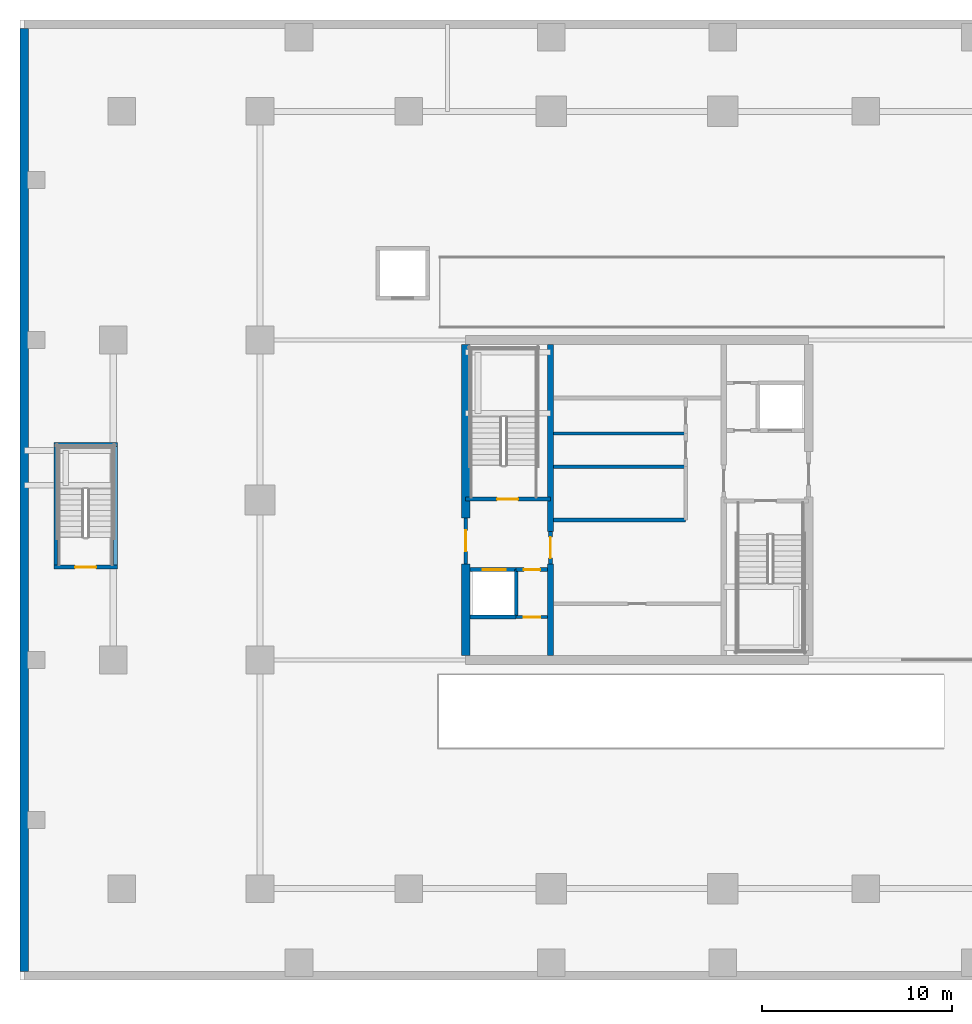
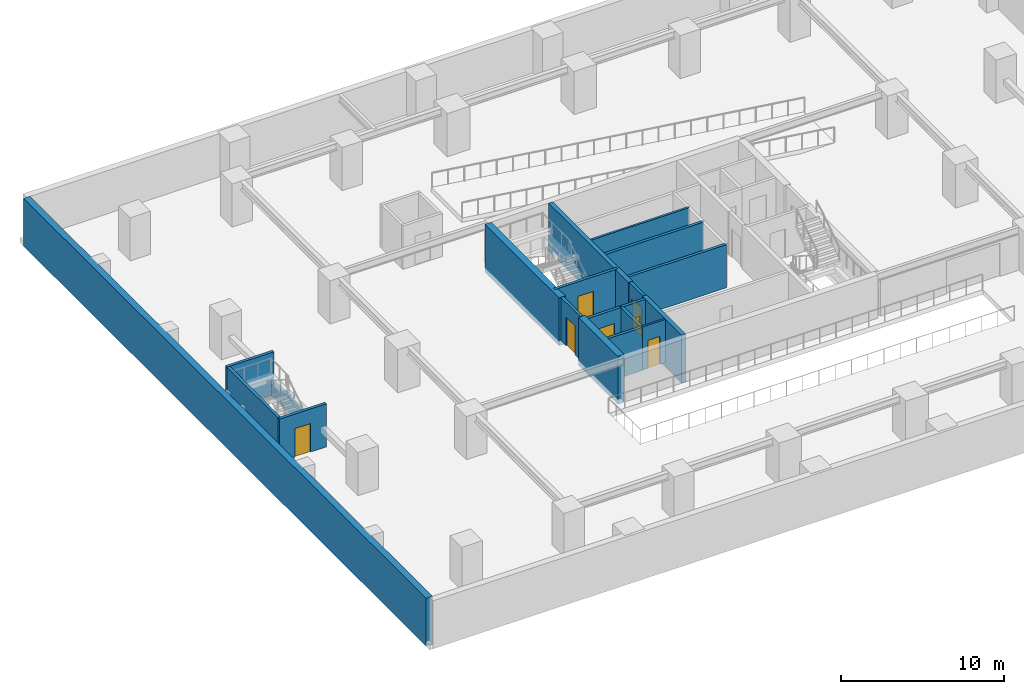
# One storey, part 2 of 10: 20 walls, 7 doors, 7 openings.
"""IFC4 building model written with IfcOpenShell, lengths in metres."""

from ifc_helpers import new_model, si_unit, direction, frame, frame_2d, origin, place, context, subcontext, project, spatial, rectangle, extrude, source, transform, mapped, material, layer, layer_set, type_object, element, fill, save


model = new_model("IFC4")

# Units and contexts
model_context = context("Model", 3, precision=1e-05, world=origin(), true_north=direction((0.0, 1.0)))
body_context = subcontext(model_context, "Body", "Model", "MODEL_VIEW")
ifc_project = project(units=[si_unit("LENGTHUNIT", "METRE"), si_unit("AREAUNIT", "SQUARE_METRE"), si_unit("VOLUMEUNIT", "CUBIC_METRE"), si_unit("PLANEANGLEUNIT", "RADIAN"), si_unit("MASSUNIT", "GRAM", prefix="KILO")], contexts=[model_context])

# Site, building, storey
site_placement = place(None, origin())
site = spatial("IfcSite", under=ifc_project, at=site_placement, CompositionType="ELEMENT")
building_placement = place(site_placement, origin())
building = spatial("IfcBuilding", under=site, at=building_placement, Name="Serunith Strait Residences", CompositionType="ELEMENT")
storey_placement = place(building_placement, frame((0.0, 0.0, -7.199951171875)))
storey = spatial("IfcBuildingStorey", under=building, at=storey_placement, Name="B02", CompositionType="ELEMENT", Elevation=-7.199951171875)

# Wall, opening, door
ifc_material_1 = material(Name="Fire-rated masonry service closet wall", Category="masonry")
ifc_layer_1 = layer(ifc_material_1, 0.14990234375, Name="Fire-rated masonry service closet wall")
ifc_layer_set_1 = layer_set([ifc_layer_1], Name="Fire-rated masonry service closet wall")
wall_type_1 = type_object("IfcWallType", Name="IW-BOH-150", PredefinedType="PARTITIONING", material=ifc_layer_set_1)
wall_1_placement = place(storey_placement, frame((26.052001953125, 19.050048828125, 0.0), z_axis=(0.0, 0.0, 1.0), x_axis=(1.0, 0.0, 0.0)))
wall_1 = element("IfcWall", 1, at=wall_1_placement, inside=storey, type_object=wall_type_1, Name="B02 Partition Wall 016", PredefinedType="PARTITIONING", context=body_context, shape_type="SweptSolid", body=[
    extrude(rectangle(XDim=1.64794921875, YDim=0.14990234375, at=frame_2d((0.823974609375, 0.0))), origin(), (0.0, 0.0, 1.0), 3.239990234375),
])
opening_1_placement = place(wall_1_placement, frame((0.39892578125, 0.0, 0.0)))
opening_1 = element("IfcOpeningElement", 2, at=opening_1_placement, cuts=wall_1, Name="Opening FD-850", PredefinedType="OPENING", context=body_context, shape_type="SweptSolid", body=[
    extrude(rectangle(XDim=0.85009765625, YDim=2.10009765625, at=frame_2d((0.425048828125, 1.050048828125))), frame((0.0, 0.0849609375, 0.0), z_axis=(0.0, -1.0, 0.0), x_axis=(1.0, 0.0, 0.0)), (0.0, 0.0, 1.0), 0.169921875),
])
ifc_material_2 = material(Name="Powder-coated steel service closet door", Category="steel")
door_type_1 = type_object("IfcDoorType", Name="FD-BOH-850", OperationType="NOTDEFINED", PredefinedType="DOOR", material=ifc_material_2)
shared_shape_1 = source(origin(), body_context, "Body", "SweptSolid", [
    extrude(rectangle(XDim=0.85009765625, YDim=2.10009765625, at=frame_2d((0.425048828125, 1.050048828125))), frame((0.0, 0.02490234375, 0.0), z_axis=(0.0, -1.0, 0.0), x_axis=(1.0, 0.0, 0.0)), (0.0, 0.0, 1.0), 0.050048828125),
])
door_1_placement = place(opening_1_placement, origin())
door_1 = element("IfcDoor", 3, at=door_1_placement, inside=storey, type_object=door_type_1, Name="B02 Water Meter Door", OperationType="SINGLE_SWING_LEFT", OverallHeight=2.10009765625, OverallWidth=0.85009765625, PredefinedType="DOOR", context=body_context, shape_type="MappedRepresentation", body=[
    mapped(shared_shape_1, transform((0.0, 0.0, 0.0), scale=1.0)),
])
fill(opening_1, door_1)

# Wall
wall_2_placement = place(storey_placement, frame((28.0, 28.699951171875, 0.0), z_axis=(0.0, 0.0, 1.0), x_axis=(1.0, 0.0, 0.0)))
element("IfcWall", 4, at=wall_2_placement, inside=storey, type_object=wall_type_1, Name="B02 Partition Wall 020", PredefinedType="PARTITIONING", context=body_context, shape_type="SweptSolid", body=[
    extrude(rectangle(XDim=6.949951171875, YDim=0.14990234375, at=frame_2d((3.47509765625, 0.0))), origin(), (0.0, 0.0, 1.0), 3.239990234375),
])

# Wall, opening, door
ifc_material_3 = material(Name="Autoclaved aerated concrete blockwork", Category="masonry")
ifc_layer_2 = layer(ifc_material_3, 0.199951171875, Name="Autoclaved aerated concrete blockwork")
ifc_layer_set_2 = layer_set([ifc_layer_2], Name="Autoclaved aerated concrete blockwork")
wall_type_2 = type_object("IfcWallType", Name="IW-SHAFT-200", PredefinedType="STANDARD", material=ifc_layer_set_2)
wall_3_placement = place(storey_placement, frame((23.39990234375, 25.25, 0.0), z_axis=(0.0, 0.0, 1.0), x_axis=(1.0, 0.0, 0.0)))
wall_3 = element("IfcWall", 5, at=wall_3_placement, inside=storey, type_object=wall_type_2, Name="B02 ST-1 South Shaft Wall", PredefinedType="STANDARD", context=body_context, shape_type="SweptSolid", body=[
    extrude(rectangle(XDim=4.4501953125, YDim=0.199951171875, at=frame_2d((2.22509765625, 0.0))), origin(), (0.0, 0.0, 1.0), 3.239990234375),
])
opening_2_placement = place(wall_3_placement, frame((1.64990234375, 0.0, 0.0)))
opening_2 = element("IfcOpeningElement", 6, at=opening_2_placement, cuts=wall_3, Name="Opening FD-1100", PredefinedType="OPENING", context=body_context, shape_type="SweptSolid", body=[
    extrude(rectangle(XDim=1.10009765625, YDim=2.14990234375, at=frame_2d((0.550048828125, 1.074951171875))), frame((0.0, 0.10986328125, 0.0), z_axis=(0.0, -1.0, 0.0), x_axis=(1.0, 0.0, 0.0)), (0.0, 0.0, 1.0), 0.219970703125),
])
ifc_material_4 = material(Name="Galvanised steel fire door leaf", Category="steel")
door_type_2 = type_object("IfcDoorType", Name="FD-STAIR-1100", OperationType="NOTDEFINED", PredefinedType="DOOR", material=ifc_material_4)
shared_shape_2 = source(origin(), body_context, "Body", "SweptSolid", [
    extrude(rectangle(XDim=1.10009765625, YDim=2.14990234375, at=frame_2d((0.550048828125, 1.074951171875))), frame((0.0, 0.02490234375, 0.0), z_axis=(0.0, -1.0, 0.0), x_axis=(1.0, 0.0, 0.0)), (0.0, 0.0, 1.0), 0.050048828125),
])
door_2_placement = place(opening_2_placement, origin())
door_2 = element("IfcDoor", 7, at=door_2_placement, inside=storey, type_object=door_type_2, Name="B02 ST-1 Escape Stair Door", OperationType="SINGLE_SWING_RIGHT", OverallHeight=2.14990234375, OverallWidth=1.10009765625, PredefinedType="DOOR", context=body_context, shape_type="MappedRepresentation", body=[
    mapped(shared_shape_2, transform((0.0, 0.0, 0.0), scale=1.0)),
])
fill(opening_2, door_2)

wall_4_placement = place(storey_placement, frame((1.780029296875, 21.679931640625, 0.0), z_axis=(0.0, 0.0, 1.0), x_axis=(1.0, 0.0, 0.0)))
wall_4 = element("IfcWall", 8, at=wall_4_placement, inside=storey, type_object=wall_type_2, Name="B02 ST-5 South Shaft Wall", PredefinedType="STANDARD", context=body_context, shape_type="SweptSolid", body=[
    extrude(rectangle(XDim=3.340087890625, YDim=0.199951171875, at=frame_2d((1.669921875, 0.0))), origin(), (0.0, 0.0, 1.0), 3.239990234375),
])
opening_3_placement = place(wall_4_placement, frame((1.1201171875, 0.0, 0.0)))
opening_3 = element("IfcOpeningElement", 9, at=opening_3_placement, cuts=wall_4, Name="Opening FD-1100", PredefinedType="OPENING", context=body_context, shape_type="SweptSolid", body=[
    extrude(rectangle(XDim=1.10009765625, YDim=2.14990234375, at=frame_2d((0.550048828125, 1.074951171875))), frame((0.0, 0.10986328125, 0.0), z_axis=(0.0, -1.0, 0.0), x_axis=(1.0, 0.0, 0.0)), (0.0, 0.0, 1.0), 0.219970703125),
])
door_3_placement = place(opening_3_placement, origin())
door_3 = element("IfcDoor", 10, at=door_3_placement, inside=storey, type_object=door_type_2, Name="B02 ST-5 Escape Stair Door", OperationType="SINGLE_SWING_LEFT", OverallHeight=2.14990234375, OverallWidth=1.10009765625, PredefinedType="DOOR", context=body_context, shape_type="MappedRepresentation", body=[
    mapped(shared_shape_2, transform((0.0, 0.0, 0.0), scale=1.0)),
])
fill(opening_3, door_3)

# Walls
wall_5_placement = place(storey_placement, frame((1.780029296875, 28.1201171875, 0.0), z_axis=(0.0, 0.0, 1.0), x_axis=(1.0, 0.0, 0.0)))
element("IfcWall", 11, at=wall_5_placement, inside=storey, type_object=wall_type_2, Name="B02 ST-5 North Shaft Wall", PredefinedType="STANDARD", context=body_context, shape_type="SweptSolid", body=[
    extrude(rectangle(XDim=3.340087890625, YDim=0.199951171875, at=frame_2d((1.669921875, 0.0))), origin(), (0.0, 0.0, 1.0), 3.239990234375),
])
wall_6_placement = place(storey_placement, frame((1.8798828125, 21.780029296875, 0.0), z_axis=(0.0, 0.0, 1.0), x_axis=(0.0, 1.0, 0.0)))
element("IfcWall", 12, at=wall_6_placement, inside=storey, type_object=wall_type_2, Name="B02 ST-5 West Shaft Wall", PredefinedType="STANDARD", context=body_context, shape_type="SweptSolid", body=[
    extrude(rectangle(XDim=6.239990234375, YDim=0.199951171875, at=frame_2d((3.1201171875, 0.0))), origin(), (0.0, 0.0, 1.0), 3.239990234375),
])
wall_7_placement = place(storey_placement, frame((5.02001953125, 21.780029296875, 0.0), z_axis=(0.0, 0.0, 1.0), x_axis=(0.0, 1.0, 0.0)))
element("IfcWall", 13, at=wall_7_placement, inside=storey, type_object=wall_type_2, Name="B02 ST-5 East Shaft Wall", PredefinedType="STANDARD", context=body_context, shape_type="SweptSolid", body=[
    extrude(rectangle(XDim=6.239990234375, YDim=0.199951171875, at=frame_2d((3.1201171875, 0.0))), origin(), (0.0, 0.0, 1.0), 1.18505859375),
])

# Wall, opening, door
wall_8_placement = place(storey_placement, frame((23.625, 21.550048828125, 0.0), z_axis=(0.0, 0.0, 1.0), x_axis=(1.0, 0.0, 0.0)))
wall_8 = element("IfcWall", 14, at=wall_8_placement, inside=storey, type_object=wall_type_2, Name="B02 FL-1 North Shaft Wall", PredefinedType="STANDARD", context=body_context, shape_type="SweptSolid", body=[
    extrude(rectangle(XDim=2.425048828125, YDim=0.199951171875, at=frame_2d((1.21240234375, 0.0))), origin(), (0.0, 0.0, 1.0), 3.239990234375),
])
opening_4_placement = place(wall_8_placement, frame((0.675048828125, 0.0, 0.0)))
opening_4 = element("IfcOpeningElement", 15, at=opening_4_placement, cuts=wall_8, Name="Opening LD-FF1200", PredefinedType="OPENING", context=body_context, shape_type="SweptSolid", body=[
    extrude(rectangle(XDim=1.199951171875, YDim=2.199951171875, at=frame_2d((0.60009765625, 1.10009765625))), frame((0.0, 0.10986328125, 0.0), z_axis=(0.0, -1.0, 0.0), x_axis=(1.0, 0.0, 0.0)), (0.0, 0.0, 1.0), 0.219970703125),
])
ifc_material_5 = material(Name="Brushed stainless steel landing door", Category="steel")
door_type_3 = type_object("IfcDoorType", Name="LD-FF-1200", OperationType="DOUBLE_DOOR_SLIDING", PredefinedType="DOOR", material=ifc_material_5)
shared_shape_3 = source(origin(), body_context, "Body", "SweptSolid", [
    extrude(rectangle(XDim=1.199951171875, YDim=2.199951171875, at=frame_2d((0.60009765625, 1.10009765625))), frame((0.0, 0.02490234375, 0.0), z_axis=(0.0, -1.0, 0.0), x_axis=(1.0, 0.0, 0.0)), (0.0, 0.0, 1.0), 0.050048828125),
])
door_4_placement = place(opening_4_placement, origin())
door_4 = element("IfcDoor", 16, at=door_4_placement, inside=storey, type_object=door_type_3, Name="B02 FL-1 Landing Door", OperationType="DOUBLE_DOOR_SLIDING", OverallHeight=2.199951171875, OverallWidth=1.199951171875, PredefinedType="DOOR", context=body_context, shape_type="MappedRepresentation", body=[
    mapped(shared_shape_3, transform((0.0, 0.0, 0.0), scale=1.0)),
])
fill(opening_4, door_4)

# Walls
wall_9_placement = place(storey_placement, frame((26.050048828125, 19.050048828125, 0.0), z_axis=(0.0, 0.0, 1.0), x_axis=(0.0, 1.0, 0.0)))
element("IfcWall", 17, at=wall_9_placement, inside=storey, type_object=wall_type_2, Name="B02 Partition Wall 001", PredefinedType="STANDARD", context=body_context, shape_type="SweptSolid", body=[
    extrude(rectangle(XDim=2.5, YDim=0.199951171875, at=frame_2d((1.25, 0.0))), origin(), (0.0, 0.0, 1.0), 3.239990234375),
])
wall_10_placement = place(storey_placement, frame((23.625, 19.050048828125, 0.0), z_axis=(0.0, 0.0, 1.0), x_axis=(1.0, 0.0, 0.0)))
element("IfcWall", 18, at=wall_10_placement, inside=storey, type_object=wall_type_2, Name="B02 Partition Wall 002", PredefinedType="STANDARD", context=body_context, shape_type="SweptSolid", body=[
    extrude(rectangle(XDim=2.425048828125, YDim=0.199951171875, at=frame_2d((1.21240234375, 0.0))), origin(), (0.0, 0.0, 1.0), 3.239990234375),
])

# Wall, opening, door
wall_11_placement = place(storey_placement, frame((26.052001953125, 21.550048828125, 0.0), z_axis=(0.0, 0.0, 1.0), x_axis=(1.0, 0.0, 0.0)))
wall_11 = element("IfcWall", 19, at=wall_11_placement, inside=storey, type_object=wall_type_2, Name="B02 Partition Wall 003", PredefinedType="STANDARD", context=body_context, shape_type="SweptSolid", body=[
    extrude(rectangle(XDim=1.64794921875, YDim=0.199951171875, at=frame_2d((0.823974609375, 0.0))), origin(), (0.0, 0.0, 1.0), 3.239990234375),
])
opening_5_placement = place(wall_11_placement, frame((0.39892578125, 0.0, 0.0)))
opening_5 = element("IfcOpeningElement", 20, at=opening_5_placement, cuts=wall_11, Name="Opening FD-850", PredefinedType="OPENING", context=body_context, shape_type="SweptSolid", body=[
    extrude(rectangle(XDim=0.85009765625, YDim=2.10009765625, at=frame_2d((0.425048828125, 1.050048828125))), frame((0.0, 0.10986328125, 0.0), z_axis=(0.0, -1.0, 0.0), x_axis=(1.0, 0.0, 0.0)), (0.0, 0.0, 1.0), 0.219970703125),
])
door_5_placement = place(opening_5_placement, origin())
door_5 = element("IfcDoor", 21, at=door_5_placement, inside=storey, type_object=door_type_1, Name="B02 South-West Core Service Door", OperationType="SINGLE_SWING_RIGHT", OverallHeight=2.10009765625, OverallWidth=0.85009765625, PredefinedType="DOOR", context=body_context, shape_type="MappedRepresentation", body=[
    mapped(shared_shape_1, transform((0.0, 0.0, 0.0), scale=1.0)),
])
fill(opening_5, door_5)

wall_12_placement = place(storey_placement, frame((23.39990234375, 21.85205078125, 0.0), z_axis=(0.0, 0.0, 1.0), x_axis=(0.0, 1.0, 0.0)))
wall_12 = element("IfcWall", 22, at=wall_12_placement, inside=storey, type_object=wall_type_2, Name="B02 Partition Wall 007", PredefinedType="STANDARD", context=body_context, shape_type="SweptSolid", body=[
    extrude(rectangle(XDim=2.39599609375, YDim=0.199951171875, at=frame_2d((1.197998046875, 0.0))), origin(), (0.0, 0.0, 1.0), 3.239990234375),
])
opening_6_placement = place(wall_12_placement, frame((0.64794921875, 0.0, 0.0)))
opening_6 = element("IfcOpeningElement", 23, at=opening_6_placement, cuts=wall_12, Name="Opening FD-FFL", PredefinedType="OPENING", context=body_context, shape_type="SweptSolid", body=[
    extrude(rectangle(XDim=1.10009765625, YDim=2.14990234375, at=frame_2d((0.550048828125, 1.074951171875))), frame((0.0, 0.10986328125, 0.0), z_axis=(0.0, -1.0, 0.0), x_axis=(1.0, 0.0, 0.0)), (0.0, 0.0, 1.0), 0.219970703125),
])
ifc_material_6 = material(Name="Glazed steel smoke-lobby fire door", Category="steel")
door_type_4 = type_object("IfcDoorType", Name="FD-FFL-1100", OperationType="NOTDEFINED", PredefinedType="DOOR", material=ifc_material_6)
door_6_placement = place(opening_6_placement, origin())
door_6 = element("IfcDoor", 24, at=door_6_placement, inside=storey, type_object=door_type_4, Name="B02 FFL-1 Corridor Fire Door", OperationType="SINGLE_SWING_RIGHT", OverallHeight=2.14990234375, OverallWidth=1.10009765625, PredefinedType="DOOR", context=body_context, shape_type="MappedRepresentation", body=[
    mapped(shared_shape_2, transform((0.0, 0.0, 0.0), scale=1.0)),
])
fill(opening_6, door_6)

wall_13_placement = place(storey_placement, frame((27.85009765625, 21.85205078125, 0.0), z_axis=(0.0, 0.0, 1.0), x_axis=(0.0, 1.0, 0.0)))
wall_13 = element("IfcWall", 25, at=wall_13_placement, inside=storey, type_object=wall_type_2, Name="B02 Partition Wall 009", PredefinedType="STANDARD", context=body_context, shape_type="SweptSolid", body=[
    extrude(rectangle(XDim=1.696044921875, YDim=0.199951171875, at=frame_2d((0.84814453125, 0.0))), origin(), (0.0, 0.0, 1.0), 3.239990234375),
])
opening_7_placement = place(wall_13_placement, frame((0.298095703125, 0.0, 0.0)))
opening_7 = element("IfcOpeningElement", 26, at=opening_7_placement, cuts=wall_13, Name="Opening FD-FFL", PredefinedType="OPENING", context=body_context, shape_type="SweptSolid", body=[
    extrude(rectangle(XDim=1.10009765625, YDim=2.14990234375, at=frame_2d((0.550048828125, 1.074951171875))), frame((0.0, 0.10986328125, 0.0), z_axis=(0.0, -1.0, 0.0), x_axis=(1.0, 0.0, 0.0)), (0.0, 0.0, 1.0), 0.219970703125),
])
door_7_placement = place(opening_7_placement, origin())
door_7 = element("IfcDoor", 27, at=door_7_placement, inside=storey, type_object=door_type_4, Name="B02 FFL-1 Lift Lobby Door", OperationType="SINGLE_SWING_RIGHT", OverallHeight=2.14990234375, OverallWidth=1.10009765625, PredefinedType="DOOR", context=body_context, shape_type="MappedRepresentation", body=[
    mapped(shared_shape_2, transform((0.0, 0.0, 0.0), scale=1.0)),
])
fill(opening_7, door_7)

# Walls
for number, where, z_axis, x_axis, name in (
    (28, (28.0, 24.14990234375, 0.0), (0.0, 0.0, 1.0), (1.0, 0.0, 0.0), "B02 Partition Wall 013"),
    (29, (28.0, 26.949951171875, 0.0), (0.0, 0.0, 1.0), (1.0, 0.0, 0.0), "B02 Partition Wall 014"),
):
    element("IfcWall", number, at=place(storey_placement, frame(where, z_axis=z_axis, x_axis=x_axis)), inside=storey, type_object=wall_type_2, Name=name, PredefinedType="STANDARD", context=body_context, shape_type="SweptSolid", body=[
        extrude(rectangle(XDim=6.949951171875, YDim=0.199951171875, at=frame_2d((3.47509765625, 0.0))), origin(), (0.0, 0.0, 1.0), 3.239990234375),
    ])
ifc_material_7 = material(Name="Concrete C50/60", Category="concrete")
ifc_layer_3 = layer(ifc_material_7, 0.449951171875, Name="Concrete C50/60")
ifc_layer_set_3 = layer_set([ifc_layer_3], Name="Concrete C50/60")
wall_type_3 = type_object("IfcWallType", Name="RW-450-C50", PredefinedType="USERDEFINED", material=ifc_layer_set_3)
wall_14_placement = place(storey_placement, frame((0.22509765625, 49.949951171875, -0.360107421875), z_axis=(0.0, 0.0, 1.0), x_axis=(0.0, -1.0, 0.0)))
element("IfcWall", 30, at=wall_14_placement, inside=storey, type_object=wall_type_3, Name="B02 West Diaphragm Wall", ObjectType="RETAININGWALL", PredefinedType="USERDEFINED", context=body_context, shape_type="SweptSolid", body=[
    extrude(rectangle(XDim=49.5, YDim=0.449951171875, at=frame_2d((24.75, 0.0))), origin(), (0.0, 0.0, 1.0), 3.59814453125),
])
ifc_material_8 = material(Name="Concrete C80/95", Category="concrete")
ifc_layer_4 = layer(ifc_material_8, 0.300048828125, Name="Concrete C80/95")
ifc_layer_set_4 = layer_set([ifc_layer_4], Name="Concrete C80/95")
wall_type_4 = type_object("IfcWallType", Name="SW-300-C80", PredefinedType="SHEAR", material=ifc_layer_set_4)
wall_15_placement = place(storey_placement, frame((27.85009765625, 17.02490234375, -0.360107421875), z_axis=(0.0, 0.0, 1.0), x_axis=(0.0, 1.0, 0.0)))
element("IfcWall", 31, at=wall_15_placement, inside=storey, type_object=wall_type_4, Name="B02 Core Internal West Web South Pier", PredefinedType="SHEAR", context=body_context, shape_type="SweptSolid", body=[
    extrude(rectangle(XDim=4.8251953125, YDim=0.300048828125, at=frame_2d((2.41259765625, 0.0))), origin(), (0.0, 0.0, 1.0), 3.59814453125),
])
wall_16_placement = place(storey_placement, frame((27.85009765625, 23.550048828125, -0.360107421875), z_axis=(0.0, 0.0, 1.0), x_axis=(0.0, 1.0, 0.0)))
element("IfcWall", 32, at=wall_16_placement, inside=storey, type_object=wall_type_4, Name="B02 Core Internal West Web North Pier", PredefinedType="SHEAR", context=body_context, shape_type="SweptSolid", body=[
    extrude(rectangle(XDim=9.824951171875, YDim=0.300048828125, at=frame_2d((4.91259765625, 0.0))), origin(), (0.0, 0.0, 1.0), 3.59814453125),
])
ifc_layer_5 = layer(ifc_material_8, 0.449951171875, Name="Concrete C80/95")
ifc_layer_set_5 = layer_set([ifc_layer_5], Name="Concrete C80/95")
wall_type_5 = type_object("IfcWallType", Name="SW-450-C80", PredefinedType="SHEAR", material=ifc_layer_set_5)
wall_17_placement = place(storey_placement, frame((23.39990234375, 17.02490234375, -0.360107421875), z_axis=(0.0, 0.0, 1.0), x_axis=(0.0, 1.0, 0.0)))
element("IfcWall", 33, at=wall_17_placement, inside=storey, type_object=wall_type_5, Name="B02 Core West Shear Wall South Pier", PredefinedType="SHEAR", context=body_context, shape_type="SweptSolid", body=[
    extrude(rectangle(XDim=4.8251953125, YDim=0.449951171875, at=frame_2d((2.41259765625, 0.0))), origin(), (0.0, 0.0, 1.0), 3.59814453125),
])
wall_18_placement = place(storey_placement, frame((23.39990234375, 24.25, -0.360107421875), z_axis=(0.0, 0.0, 1.0), x_axis=(0.0, 1.0, 0.0)))
element("IfcWall", 34, at=wall_18_placement, inside=storey, type_object=wall_type_5, Name="B02 Core West Shear Wall North Pier", PredefinedType="SHEAR", context=body_context, shape_type="SweptSolid", body=[
    extrude(rectangle(XDim=9.125, YDim=0.449951171875, at=frame_2d((4.5625, 0.0))), origin(), (0.0, 0.0, 1.0), 3.59814453125),
])

save(model, "model.ifc")
